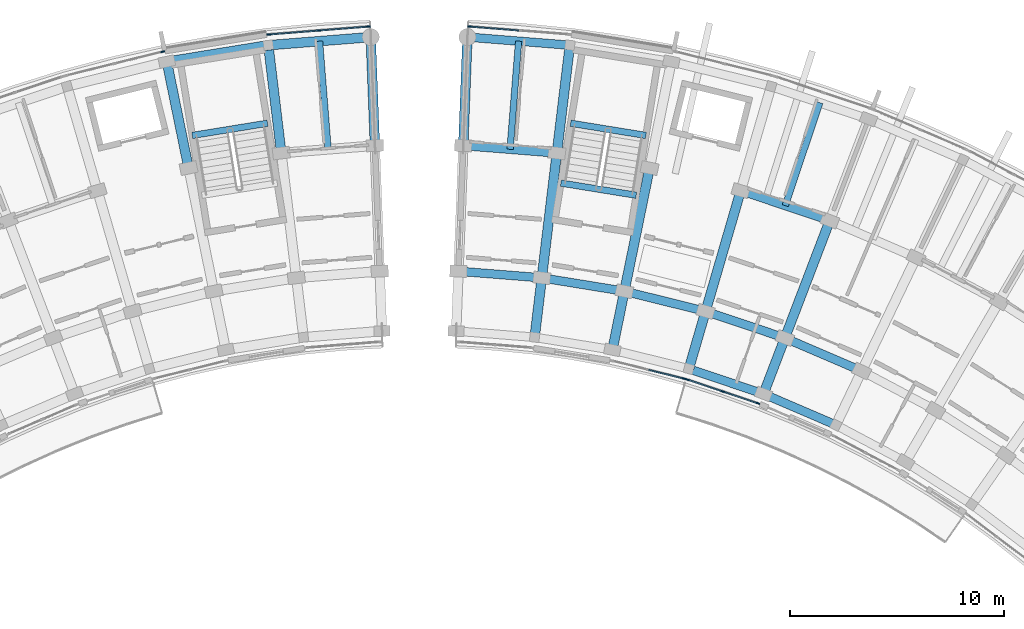
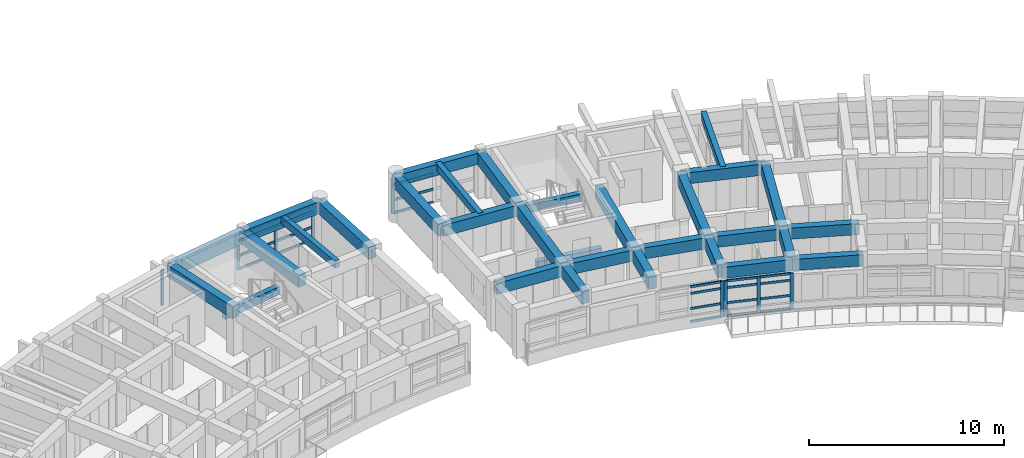
# One storey, part 7 of 56: 32 members, 31 beams, 5 elements without a shape of their own.
"""IFC4 building model written with IfcOpenShell, lengths in metres."""

from ifc_helpers import new_model, si_unit, direction, frame, origin, origin_2d, place, context, subcontext, project, spatial, rectangle, extrude, material, material_profile, profile_set, type_object, element, aggregate, save


model = new_model("IFC4")

# Units and contexts
model_context = context("Model", 3, precision=1e-05, world=origin(), true_north=direction((0.0, 1.0)))
body_context = subcontext(model_context, "Body", "Model", "MODEL_VIEW")
ifc_project = project(units=[si_unit("LENGTHUNIT", "METRE"), si_unit("AREAUNIT", "SQUARE_METRE"), si_unit("VOLUMEUNIT", "CUBIC_METRE"), si_unit("PLANEANGLEUNIT", "RADIAN"), si_unit("MASSUNIT", "GRAM", prefix="KILO")], contexts=[model_context])

# Site, building, storey
site_placement = place(None, origin())
site = spatial("IfcSite", under=ifc_project, at=site_placement, CompositionType="ELEMENT")
building_placement = place(site_placement, origin())
building = spatial("IfcBuilding", under=site, at=building_placement, Name="Zimvara Arc Housing Community", CompositionType="ELEMENT")
storey_placement = place(building_placement, frame((0.0, 0.0, 11.199951171875)))
storey = spatial("IfcBuildingStorey", under=building, at=storey_placement, Name="L03", CompositionType="ELEMENT", Elevation=11.199951171875)

# Beams
ifc_material_1 = material(Name="Concrete C40/50", Category="concrete")
ifc_material_profile_1 = material_profile(ifc_material_1, rectangle(XDim=0.300048828125, YDim=0.449951171875, at=origin_2d()), Name="RC 300x450")
ifc_profile_set_1 = profile_set([ifc_material_profile_1], Name="Concrete C40/50")
beam_type_1 = type_object("IfcBeamType", Name="BM-RC-300x450", PredefinedType="JOIST", material=ifc_profile_set_1)
for number, where, z_axis, x_axis, name in (
    (1, (40.7451171875, 98.08642578125, 2.635009765625), (-0.079171686291, 0.99686099537, 0.0), (-0.99686099537, -0.079171686291, 0.0), "bm:blkA:L03:joist:b9"),
    (2, (49.2548828125, 98.08642578125, 2.635009765625), (0.079171686291, 0.99686099537, 0.0), (-0.99686099537, 0.079171686291, 0.0), "bm:blkB:L03:joist:b0"),
    (3, (62.1279296875, 95.453369140625, 2.635009765625), (0.318607669836, 0.947886677152, 0.0), (-0.947886677152, 0.318607669836, 0.0), "bm:blkB:L03:joist:b3"),
):
    element("IfcBeam", number, at=place(storey_placement, frame(where, z_axis=z_axis, x_axis=x_axis)), inside=storey, type_object=beam_type_1, Name=name, PredefinedType="JOIST", context=body_context, shape_type="SweptSolid", body=[
        extrude(rectangle(XDim=0.300048828125, YDim=0.449951171875, at=origin_2d()), origin(), (0.0, 0.0, 1.0), 5.07568359375),
    ])
ifc_material_2 = material(Name="Concrete C40/50", Category="concrete")
ifc_material_profile_2 = material_profile(ifc_material_2, rectangle(XDim=0.300048828125, YDim=0.5, at=origin_2d()), Name="RC 300x500")
ifc_profile_set_2 = profile_set([ifc_material_profile_2], Name="Concrete C40/50")
beam_type_2 = type_object("IfcBeamType", Name="BM-RC-300x500", PredefinedType="BEAM", material=ifc_profile_set_2)
for number, where, z_axis, x_axis, name in (
    (4, (37.911865234375, 99.307373046875, 1.300048828125), (-0.987080057935, -0.160227835371, 0.0), (0.160227835371, -0.987080057935, 0.0), "bm:stair_trim:ST-A2:L03:mid"),
    (5, (55.15771484375, 95.93701171875, -0.25), (-0.987080057935, 0.160227835371, 0.0), (-0.160227835371, -0.987080057935, 0.0), "bm:stair_trim:ST-B1:L03:near"),
    (6, (55.612060546875, 98.7353515625, 1.300048828125), (-0.987080057935, 0.160227835371, 0.0), (-0.160227835371, -0.987080057935, 0.0), "bm:stair_trim:ST-B1:L03:mid"),
):
    element("IfcBeam", number, at=place(storey_placement, frame(where, z_axis=z_axis, x_axis=x_axis)), inside=storey, type_object=beam_type_2, Name=name, PredefinedType="BEAM", context=body_context, shape_type="SweptSolid", body=[
        extrude(rectangle(XDim=0.300048828125, YDim=0.5, at=origin_2d()), origin(), (0.0, 0.0, 1.0), 3.570068359375),
    ])
ifc_material_3 = material(Name="Concrete C40/50", Category="concrete")
ifc_material_profile_3 = material_profile(ifc_material_3, rectangle(XDim=0.39990234375, YDim=0.699951171875, at=origin_2d()), Name="RC 400x700")
ifc_profile_set_3 = profile_set([ifc_material_profile_3], Name="Concrete C40/50")
beam_type_3 = type_object("IfcBeamType", Name="BM-RC-400x700", PredefinedType="BEAM", material=ifc_profile_set_3)
for number, where, z_axis, x_axis, name in (
    (7, (57.618408203125, 87.819580078125, 2.510009765625), (0.94789181932, -0.31859237101, 0.0), (0.31859237101, 0.94789181932, 0.0), "bm:blkB:L03:chord:r0:b3"),
    (8, (61.11083984375, 86.645751953125, 2.510009765625), (0.918705736243, -0.394942742932, 0.0), (0.394942742932, 0.918705736243, 0.0), "bm:blkB:L03:chord:r0:b4"),
):
    element("IfcBeam", number, at=place(storey_placement, frame(where, z_axis=z_axis, x_axis=x_axis)), inside=storey, type_object=beam_type_3, Name=name, PredefinedType="BEAM", context=body_context, shape_type="SweptSolid", body=[
        extrude(rectangle(XDim=0.39990234375, YDim=0.699951171875, at=origin_2d()), origin(), (0.0, 0.0, 1.0), 3.684326171875),
    ])
beam_1_placement = place(storey_placement, frame((46.839599609375, 92.384765625, 2.510009765625), z_axis=(0.99686054795, -0.079177319606, 0.0), x_axis=(0.079177319606, 0.99686054795, 0.0)))
element("IfcBeam", 9, at=beam_1_placement, inside=storey, type_object=beam_type_3, Name="bm:blkB:L03:chord:r1:b0", PredefinedType="BEAM", context=body_context, shape_type="SweptSolid", body=[
    extrude(rectangle(XDim=0.39990234375, YDim=0.699951171875, at=origin_2d()), origin(), (0.0, 0.0, 1.0), 3.912841796875),
])
for number, where, z_axis, x_axis, name in (
    (10, (50.740234375, 92.074951171875, 2.510009765625), (0.987081487371, -0.160219029111, 0.0), (0.160219029111, 0.987081487371, 0.0), "bm:blkB:L03:chord:r1:b1"),
    (11, (54.602783203125, 91.447998046875, 2.510009765625), (0.970708671682, -0.240259598602, 0.0), (0.240259598602, 0.970708671682, 0.0), "bm:blkB:L03:chord:r1:b2"),
    (12, (58.4013671875, 90.5078125, 2.510009765625), (0.947881689069, -0.31862250945, 0.0), (0.31862250945, 0.947881689069, 0.0), "bm:blkB:L03:chord:r1:b3"),
    (13, (62.110595703125, 89.260986328125, 2.510009765625), (0.91873144242, -0.394882940514, 0.0), (0.394882940514, 0.91873144242, 0.0), "bm:blkB:L03:chord:r1:b4"),
):
    element("IfcBeam", number, at=place(storey_placement, frame(where, z_axis=z_axis, x_axis=x_axis)), inside=storey, type_object=beam_type_3, Name=name, PredefinedType="BEAM", context=body_context, shape_type="SweptSolid", body=[
        extrude(rectangle(XDim=0.39990234375, YDim=0.699951171875, at=origin_2d()), origin(), (0.0, 0.0, 1.0), 3.9130859375),
    ])
beam_2_placement = place(storey_placement, frame((47.065185546875, 98.26025390625, 2.510009765625), z_axis=(0.996864209836, -0.079131202119, 0.0), x_axis=(0.079131202119, 0.996864209836, 0.0)))
element("IfcBeam", 14, at=beam_2_placement, inside=storey, type_object=beam_type_3, Name="bm:blkB:L03:chord:r2:b0", PredefinedType="BEAM", context=body_context, shape_type="SweptSolid", body=[
    extrude(rectangle(XDim=0.39990234375, YDim=0.699951171875, at=origin_2d()), origin(), (0.0, 0.0, 1.0), 4.393310546875),
])
beam_3_placement = place(storey_placement, frame((60.0458984375, 96.1533203125, 2.510009765625), z_axis=(0.947868796036, -0.318660862832, 0.0), x_axis=(0.318660862832, 0.947868796036, 0.0)))
element("IfcBeam", 15, at=beam_3_placement, inside=storey, type_object=beam_type_3, Name="bm:blkB:L03:chord:r2:b3", PredefinedType="BEAM", context=body_context, shape_type="SweptSolid", body=[
    extrude(rectangle(XDim=0.39990234375, YDim=0.699951171875, at=origin_2d()), origin(), (0.0, 0.0, 1.0), 4.39306640625),
])
beam_4_placement = place(storey_placement, frame((47.26025390625, 103.336669921875, 2.510009765625), z_axis=(0.996861768207, -0.0791619548, 0.0), x_axis=(0.0791619548, 0.996861768207, 0.0)))
element("IfcBeam", 16, at=beam_4_placement, inside=storey, type_object=beam_type_3, Name="bm:blkB:L03:chord:r3:b0", PredefinedType="BEAM", context=body_context, shape_type="SweptSolid", body=[
    extrude(rectangle(XDim=0.39990234375, YDim=0.699951171875, at=origin_2d()), origin(), (0.0, 0.0, 1.0), 4.80810546875),
])
ifc_material_4 = material(Name="Concrete C40/50", Category="concrete")
ifc_material_profile_4 = material_profile(ifc_material_4, rectangle(XDim=0.449951171875, YDim=0.75, at=origin_2d()), Name="RC 450x750")
ifc_profile_set_4 = profile_set([ifc_material_profile_4], Name="Concrete C40/50")
beam_type_4 = type_object("IfcBeamType", Name="BM-RC-450x750", PredefinedType="BEAM", material=ifc_profile_set_4)
beam_5_placement = place(storey_placement, frame((33.20068359375, 102.185546875, 2.485107421875), z_axis=(0.987076839731, 0.160247659784, 0.0), x_axis=(-0.160247659784, 0.987076839731, 0.0)))
element("IfcBeam", 17, at=beam_5_placement, inside=storey, type_object=beam_type_4, Name="bm:blkA:L03:chord:r3:b8", PredefinedType="BEAM", context=body_context, shape_type="SweptSolid", body=[
    extrude(rectangle(XDim=0.449951171875, YDim=0.75, at=origin_2d()), origin(), (0.0, 0.0, 1.0), 4.808349609375),
])
beam_6_placement = place(storey_placement, frame((37.94677734375, 102.9560546875, 2.485107421875), z_axis=(0.996861768207, 0.0791619548, 0.0), x_axis=(-0.0791619548, 0.996861768207, 0.0)))
element("IfcBeam", 18, at=beam_6_placement, inside=storey, type_object=beam_type_4, Name="bm:blkA:L03:chord:r3:b9", PredefinedType="BEAM", context=body_context, shape_type="SweptSolid", body=[
    extrude(rectangle(XDim=0.449951171875, YDim=0.75, at=origin_2d()), origin(), (0.0, 0.0, 1.0), 4.80810546875),
])
beam_7_placement = place(storey_placement, frame((34.21875, 97.208740234375, 2.485107421875), z_axis=(-0.200411962389, 0.97971171542, 0.0), x_axis=(-0.97971171542, -0.200411962389, 0.0)))
element("IfcBeam", 19, at=beam_7_placement, inside=storey, type_object=beam_type_4, Name="bm:blkA:L03:rad:b8:r23", PredefinedType="BEAM", context=body_context, shape_type="SweptSolid", body=[
    extrude(rectangle(XDim=0.449951171875, YDim=0.75, at=origin_2d()), origin(), (0.0, 0.0, 1.0), 5.079833984375),
])
for number, where, z_axis, x_axis, name in (
    (20, (38.55517578125, 97.91259765625, 2.485107421875), (-0.119762990499, 0.99280251113, 0.0), (-0.99280251113, -0.119762990499, 0.0), "bm:blkA:L03:rad:b9:r23"),
    (21, (42.934814453125, 98.26025390625, 2.485107421875), (-0.038398054907, 0.999262522753, 0.0), (-0.999262522753, -0.038398054907, 0.0), "bm:blkA:L03:rad:b10:r23"),
    (22, (47.065185546875, 98.26025390625, 2.485107421875), (0.038398054907, 0.999262522753, 0.0), (-0.999262522753, 0.038398054907, 0.0), "bm:blkB:L03:rad:b0:r23"),
):
    element("IfcBeam", number, at=place(storey_placement, frame(where, z_axis=z_axis, x_axis=x_axis)), inside=storey, type_object=beam_type_4, Name=name, PredefinedType="BEAM", context=body_context, shape_type="SweptSolid", body=[
        extrude(rectangle(XDim=0.449951171875, YDim=0.75, at=origin_2d()), origin(), (0.0, 0.0, 1.0), 5.080078125),
    ])
beam_8_placement = place(storey_placement, frame((50.405029296875, 89.295166015625, 2.485107421875), z_axis=(0.119719398078, 0.992807768767, 0.0), x_axis=(-0.992807768767, 0.119719398078, 0.0)))
element("IfcBeam", 23, at=beam_8_placement, inside=storey, type_object=beam_type_4, Name="bm:blkB:L03:rad:b1:r01", PredefinedType="BEAM", context=body_context, shape_type="SweptSolid", body=[
    extrude(rectangle(XDim=0.449951171875, YDim=0.75, at=origin_2d()), origin(), (0.0, 0.0, 1.0), 2.7998046875),
])
beam_9_placement = place(storey_placement, frame((50.740234375, 92.074951171875, 2.485107421875), z_axis=(0.119827921695, 0.992794676246, 0.0), x_axis=(-0.992794676246, 0.119827921695, 0.0)))
element("IfcBeam", 24, at=beam_9_placement, inside=storey, type_object=beam_type_4, Name="bm:blkB:L03:rad:b1:r12", PredefinedType="BEAM", context=body_context, shape_type="SweptSolid", body=[
    extrude(rectangle(XDim=0.449951171875, YDim=0.75, at=origin_2d()), origin(), (0.0, 0.0, 1.0), 5.880126953125),
])
beam_10_placement = place(storey_placement, frame((51.44482421875, 97.91259765625, 2.485107421875), z_axis=(0.119762990499, 0.99280251113, 0.0), x_axis=(-0.99280251113, 0.119762990499, 0.0)))
element("IfcBeam", 25, at=beam_10_placement, inside=storey, type_object=beam_type_4, Name="bm:blkB:L03:rad:b1:r23", PredefinedType="BEAM", context=body_context, shape_type="SweptSolid", body=[
    extrude(rectangle(XDim=0.449951171875, YDim=0.75, at=origin_2d()), origin(), (0.0, 0.0, 1.0), 5.080078125),
])
beam_11_placement = place(storey_placement, frame((54.041748046875, 88.704833984375, 2.485107421875), z_axis=(0.20037341071, 0.979719600845, 0.0), x_axis=(-0.979719600845, 0.20037341071, 0.0)))
element("IfcBeam", 26, at=beam_11_placement, inside=storey, type_object=beam_type_4, Name="bm:blkB:L03:rad:b2:r01", PredefinedType="BEAM", context=body_context, shape_type="SweptSolid", body=[
    extrude(rectangle(XDim=0.449951171875, YDim=0.75, at=origin_2d()), origin(), (0.0, 0.0, 1.0), 2.800048828125),
])
beam_12_placement = place(storey_placement, frame((54.602783203125, 91.447998046875, 2.485107421875), z_axis=(0.200417973989, 0.979710485655, 0.0), x_axis=(-0.979710485655, 0.200417973989, 0.0)))
element("IfcBeam", 27, at=beam_12_placement, inside=storey, type_object=beam_type_4, Name="bm:blkB:L03:rad:b2:r12", PredefinedType="BEAM", context=body_context, shape_type="SweptSolid", body=[
    extrude(rectangle(XDim=0.449951171875, YDim=0.75, at=origin_2d()), origin(), (0.0, 0.0, 1.0), 5.880126953125),
])
beam_13_placement = place(storey_placement, frame((57.618408203125, 87.819580078125, 2.485107421875), z_axis=(0.279635015525, 0.960106378529, 0.0), x_axis=(-0.960106378529, 0.279635015525, 0.0)))
element("IfcBeam", 28, at=beam_13_placement, inside=storey, type_object=beam_type_4, Name="bm:blkB:L03:rad:b3:r01", PredefinedType="BEAM", context=body_context, shape_type="SweptSolid", body=[
    extrude(rectangle(XDim=0.449951171875, YDim=0.75, at=origin_2d()), origin(), (0.0, 0.0, 1.0), 2.800048828125),
])
beam_14_placement = place(storey_placement, frame((58.4013671875, 90.5078125, 2.485107421875), z_axis=(0.27967473749, 0.960094808449, 0.0), x_axis=(-0.960094808449, 0.27967473749, 0.0)))
element("IfcBeam", 29, at=beam_14_placement, inside=storey, type_object=beam_type_4, Name="bm:blkB:L03:rad:b3:r12", PredefinedType="BEAM", context=body_context, shape_type="SweptSolid", body=[
    extrude(rectangle(XDim=0.449951171875, YDim=0.75, at=origin_2d()), origin(), (0.0, 0.0, 1.0), 5.880126953125),
])
beam_15_placement = place(storey_placement, frame((61.11083984375, 86.645751953125, 2.485107421875), z_axis=(0.357079289134, 0.934074076972, 0.0), x_axis=(-0.934074076972, 0.357079289134, 0.0)))
element("IfcBeam", 30, at=beam_15_placement, inside=storey, type_object=beam_type_4, Name="bm:blkB:L03:rad:b4:r01", PredefinedType="BEAM", context=body_context, shape_type="SweptSolid", body=[
    extrude(rectangle(XDim=0.449951171875, YDim=0.75, at=origin_2d()), origin(), (0.0, 0.0, 1.0), 2.7998046875),
])
beam_16_placement = place(storey_placement, frame((62.110595703125, 89.260986328125, 2.485107421875), z_axis=(0.357036247742, 0.934090529766, 0.0), x_axis=(-0.934090529766, 0.357036247742, 0.0)))
element("IfcBeam", 31, at=beam_16_placement, inside=storey, type_object=beam_type_4, Name="bm:blkB:L03:rad:b4:r12", PredefinedType="BEAM", context=body_context, shape_type="SweptSolid", body=[
    extrude(rectangle(XDim=0.449951171875, YDim=0.75, at=origin_2d()), origin(), (0.0, 0.0, 1.0), 5.8798828125),
])

# Curtain wall, member
ifc_material_5 = material(Name="Anodised Aluminium AW-6063", Category="aluminium")
curtain_wall_type_1 = type_object("IfcCurtainWallType", Name="CW-SYS-02", PredefinedType="USERDEFINED", material=ifc_material_5)
curtain_wall_1_placement = place(storey_placement, origin())
curtain_wall_1 = element("IfcCurtainWall", 32, at=curtain_wall_1_placement, inside=storey, type_object=curtain_wall_type_1, Name="cw:blkB:L03:in:b2", ObjectType="CURTAIN WALL", PredefinedType="USERDEFINED")
ifc_material_6 = material(Name="Anodised Aluminium AW-6063", Category="aluminium")
ifc_material_profile_5 = material_profile(ifc_material_6, rectangle(XDim=0.06494140625, YDim=0.179931640625, at=origin_2d()), Name="ALU 65x180")
ifc_profile_set_5 = profile_set([ifc_material_profile_5], Name="Anodised Aluminium AW-6063")
member_type_1 = type_object("IfcMemberType", Name="CWM-65x150", PredefinedType="MULLION", material=ifc_profile_set_5)
member_1_placement = place(storey_placement, frame((57.388671875, 87.36181640625, 0.0), z_axis=(0.0, 0.0, 1.0), x_axis=(0.240227815706, 0.970716537698, 0.0)))
member_1 = element("IfcMember", 33, at=member_1_placement, type_object=member_type_1, Name="CW02 mullion 3", PredefinedType="MULLION", context=body_context, shape_type="SweptSolid", body=[
    extrude(rectangle(XDim=0.06494140625, YDim=0.179931640625, at=origin_2d()), origin(), (0.0, 0.0, 1.0), 2.25),
])

# Curtain wall, members
ifc_material_7 = material(Name="Anodised Aluminium AW-6063", Category="aluminium")
curtain_wall_type_2 = type_object("IfcCurtainWallType", Name="CW-SYS-04", PredefinedType="USERDEFINED", material=ifc_material_7)
curtain_wall_2_placement = place(storey_placement, origin())
curtain_wall_2 = element("IfcCurtainWall", 34, at=curtain_wall_2_placement, inside=storey, type_object=curtain_wall_type_2, Name="cw:blkB:L03:in:b3", ObjectType="CURTAIN WALL", PredefinedType="USERDEFINED")
member_2_placement = place(storey_placement, frame((57.566162109375, 87.31005859375, 0.0), z_axis=(0.0, 0.0, 1.0), x_axis=(0.318630249383, 0.94787908732, 0.0)))
member_2 = element("IfcMember", 35, at=member_2_placement, type_object=member_type_1, Name="CW04 mullion 1", PredefinedType="MULLION", context=body_context, shape_type="SweptSolid", body=[
    extrude(rectangle(XDim=0.06494140625, YDim=0.179931640625, at=origin_2d()), origin(), (0.0, 0.0, 1.0), 2.25),
])
member_3_placement = place(storey_placement, frame((59.205322265625, 86.759033203125, 0.0), z_axis=(0.0, 0.0, 1.0), x_axis=(0.318630249383, 0.94787908732, 0.0)))
member_3 = element("IfcMember", 36, at=member_3_placement, type_object=member_type_1, Name="CW04 mullion 2", PredefinedType="MULLION", context=body_context, shape_type="SweptSolid", body=[
    extrude(rectangle(XDim=0.06494140625, YDim=0.179931640625, at=origin_2d()), origin(), (0.0, 0.0, 1.0), 2.25),
])
member_4_placement = place(storey_placement, frame((60.844482421875, 86.2080078125, 0.0), z_axis=(0.0, 0.0, 1.0), x_axis=(0.318630249383, 0.94787908732, 0.0)))
member_4 = element("IfcMember", 37, at=member_4_placement, type_object=member_type_1, Name="CW04 mullion 3", PredefinedType="MULLION", context=body_context, shape_type="SweptSolid", body=[
    extrude(rectangle(XDim=0.06494140625, YDim=0.179931640625, at=origin_2d()), origin(), (0.0, 0.0, 1.0), 2.25),
])

# Curtain wall, member
ifc_material_8 = material(Name="Anodised Aluminium AW-6063", Category="aluminium")
curtain_wall_type_3 = type_object("IfcCurtainWallType", Name="CW-SYS-01", PredefinedType="USERDEFINED", material=ifc_material_8)
curtain_wall_3_placement = place(storey_placement, origin())
curtain_wall_3 = element("IfcCurtainWall", 38, at=curtain_wall_3_placement, inside=storey, type_object=curtain_wall_type_3, Name="cw:blkA:L03:out:b7", ObjectType="CURTAIN WALL", PredefinedType="USERDEFINED")
ifc_material_9 = material(Name="Anodised Aluminium AW-6063", Category="aluminium")
ifc_material_profile_6 = material_profile(ifc_material_9, rectangle(XDim=0.06494140625, YDim=0.195068359375, at=origin_2d()), Name="ALU 65x195")
ifc_profile_set_6 = profile_set([ifc_material_profile_6], Name="Anodised Aluminium AW-6063")
member_type_2 = type_object("IfcMemberType", Name="CWM-65x180", PredefinedType="MULLION", material=ifc_profile_set_6)
member_5_placement = place(storey_placement, frame((33.0107421875, 102.6533203125, 0.0), z_axis=(0.0, 0.0, 1.0), x_axis=(-0.240229711131, 0.970716068627, 0.0)))
member_5 = element("IfcMember", 39, at=member_5_placement, type_object=member_type_2, Name="CW01 mullion 3", PredefinedType="MULLION", context=body_context, shape_type="SweptSolid", body=[
    extrude(rectangle(XDim=0.06494140625, YDim=0.195068359375, at=origin_2d()), origin(), (0.0, 0.0, 1.0), 2.25),
])
aggregate(curtain_wall_3, [member_5])

# Curtain wall, members
ifc_material_10 = material(Name="Anodised Aluminium AW-6063", Category="aluminium")
curtain_wall_type_4 = type_object("IfcCurtainWallType", Name="CW-SYS-03", PredefinedType="USERDEFINED", material=ifc_material_10)
curtain_wall_4_placement = place(storey_placement, origin())
curtain_wall_4 = element("IfcCurtainWall", 40, at=curtain_wall_4_placement, inside=storey, type_object=curtain_wall_type_4, Name="cw:blkA:L03:out:b9", ObjectType="CURTAIN WALL", PredefinedType="USERDEFINED")
member_6_placement = place(storey_placement, frame((37.97900390625, 103.459716796875, 0.0), z_axis=(0.0, 0.0, 1.0), x_axis=(-0.079153759607, 0.996862418963, 0.0)))
member_6 = element("IfcMember", 41, at=member_6_placement, type_object=member_type_2, Name="CW03 mullion 1", PredefinedType="MULLION", context=body_context, shape_type="SweptSolid", body=[
    extrude(rectangle(XDim=0.06494140625, YDim=0.195068359375, at=origin_2d()), origin(), (0.0, 0.0, 1.0), 2.25),
])
member_7_placement = place(storey_placement, frame((40.3037109375, 103.644287109375, 0.0), z_axis=(0.0, 0.0, 1.0), x_axis=(-0.079153759607, 0.996862418963, 0.0)))
member_7 = element("IfcMember", 42, at=member_7_placement, type_object=member_type_2, Name="CW03 mullion 2", PredefinedType="MULLION", context=body_context, shape_type="SweptSolid", body=[
    extrude(rectangle(XDim=0.06494140625, YDim=0.195068359375, at=origin_2d()), origin(), (0.0, 0.0, 1.0), 2.25),
])
member_8_placement = place(storey_placement, frame((42.62841796875, 103.828857421875, 0.0), z_axis=(0.0, 0.0, 1.0), x_axis=(-0.079153759607, 0.996862418963, 0.0)))
member_8 = element("IfcMember", 43, at=member_8_placement, type_object=member_type_2, Name="CW03 mullion 3", PredefinedType="MULLION", context=body_context, shape_type="SweptSolid", body=[
    extrude(rectangle(XDim=0.06494140625, YDim=0.195068359375, at=origin_2d()), origin(), (0.0, 0.0, 1.0), 2.25),
])

# Curtain wall, member
ifc_material_11 = material(Name="Anodised Aluminium AW-6063", Category="aluminium")
curtain_wall_type_5 = type_object("IfcCurtainWallType", Name="CW-SYS-07", PredefinedType="USERDEFINED", material=ifc_material_11)
curtain_wall_5_placement = place(storey_placement, origin())
curtain_wall_5 = element("IfcCurtainWall", 44, at=curtain_wall_5_placement, inside=storey, type_object=curtain_wall_type_5, Name="cw:blkB:L03:out:b0", ObjectType="CURTAIN WALL", PredefinedType="USERDEFINED")
member_9_placement = place(storey_placement, frame((47.37158203125, 103.828857421875, 0.0), z_axis=(0.0, 0.0, 1.0), x_axis=(0.079153759607, 0.996862418963, 0.0)))
member_9 = element("IfcMember", 45, at=member_9_placement, type_object=member_type_2, Name="CW07 mullion 1", PredefinedType="MULLION", context=body_context, shape_type="SweptSolid", body=[
    extrude(rectangle(XDim=0.06494140625, YDim=0.195068359375, at=origin_2d()), origin(), (0.0, 0.0, 1.0), 2.25),
])

# Member
ifc_material_12 = material(Name="Anodised Aluminium AW-6063", Category="aluminium")
ifc_material_profile_7 = material_profile(ifc_material_12, rectangle(XDim=0.06494140625, YDim=0.139892578125, at=origin_2d()), Name="ALU 65x140")
ifc_profile_set_7 = profile_set([ifc_material_profile_7], Name="Anodised Aluminium AW-6063")
member_type_3 = type_object("IfcMemberType", Name="CWT-65x120", PredefinedType="USERDEFINED", material=ifc_profile_set_7)
member_10_placement = place(storey_placement, frame((55.74169921875, 87.76953125, 0.032470703125), z_axis=(0.970700809973, -0.24029135964, 0.0), x_axis=(0.24029135964, 0.970700809973, 0.0)))
member_10 = element("IfcMember", 46, at=member_10_placement, type_object=member_type_3, Name="CW02 transom 2.1", ObjectType="TRANSOM", PredefinedType="USERDEFINED", context=body_context, shape_type="SweptSolid", body=[
    extrude(rectangle(XDim=0.06494140625, YDim=0.139892578125, at=origin_2d()), origin(), (0.0, 0.0, 1.0), 1.664306640625),
])

member_11_placement = place(storey_placement, frame((55.74169921875, 87.76953125, 0.85009765625), z_axis=(0.970700809973, -0.24029135964, 0.0), x_axis=(0.24029135964, 0.970700809973, 0.0)))
member_11 = element("IfcMember", 47, at=member_11_placement, type_object=member_type_3, Name="CW02 transom 2.2", ObjectType="TRANSOM", PredefinedType="USERDEFINED", context=body_context, shape_type="SweptSolid", body=[
    extrude(rectangle(XDim=0.06494140625, YDim=0.139892578125, at=origin_2d()), origin(), (0.0, 0.0, 1.0), 1.664306640625),
])

member_12_placement = place(storey_placement, frame((55.74169921875, 87.76953125, 1.800048828125), z_axis=(0.970700809973, -0.24029135964, 0.0), x_axis=(0.24029135964, 0.970700809973, 0.0)))
member_12 = element("IfcMember", 48, at=member_12_placement, type_object=member_type_3, Name="CW02 transom 2.3", ObjectType="TRANSOM", PredefinedType="USERDEFINED", context=body_context, shape_type="SweptSolid", body=[
    extrude(rectangle(XDim=0.06494140625, YDim=0.139892578125, at=origin_2d()), origin(), (0.0, 0.0, 1.0), 1.664306640625),
])

member_13_placement = place(storey_placement, frame((55.74169921875, 87.76953125, 2.217529296875), z_axis=(0.970700809973, -0.24029135964, 0.0), x_axis=(0.24029135964, 0.970700809973, 0.0)))
member_13 = element("IfcMember", 49, at=member_13_placement, type_object=member_type_3, Name="CW02 transom 2.4", ObjectType="TRANSOM", PredefinedType="USERDEFINED", context=body_context, shape_type="SweptSolid", body=[
    extrude(rectangle(XDim=0.06494140625, YDim=0.139892578125, at=origin_2d()), origin(), (0.0, 0.0, 1.0), 1.664306640625),
])

aggregate(curtain_wall_1, [member_1, member_10, member_11, member_12, member_13])

member_14_placement = place(storey_placement, frame((57.596923828125, 87.2998046875, 0.032470703125), z_axis=(0.947888214723, -0.318603095385, 0.0), x_axis=(0.318603095385, 0.947888214723, 0.0)))
member_14 = element("IfcMember", 50, at=member_14_placement, type_object=member_type_3, Name="CW04 transom 1.1", ObjectType="TRANSOM", PredefinedType="USERDEFINED", context=body_context, shape_type="SweptSolid", body=[
    extrude(rectangle(XDim=0.06494140625, YDim=0.139892578125, at=origin_2d()), origin(), (0.0, 0.0, 1.0), 1.664306640625),
])

member_15_placement = place(storey_placement, frame((57.596923828125, 87.2998046875, 0.85009765625), z_axis=(0.947888214723, -0.318603095385, 0.0), x_axis=(0.318603095385, 0.947888214723, 0.0)))
member_15 = element("IfcMember", 51, at=member_15_placement, type_object=member_type_3, Name="CW04 transom 1.2", ObjectType="TRANSOM", PredefinedType="USERDEFINED", context=body_context, shape_type="SweptSolid", body=[
    extrude(rectangle(XDim=0.06494140625, YDim=0.139892578125, at=origin_2d()), origin(), (0.0, 0.0, 1.0), 1.664306640625),
])

member_16_placement = place(storey_placement, frame((57.596923828125, 87.2998046875, 1.800048828125), z_axis=(0.947888214723, -0.318603095385, 0.0), x_axis=(0.318603095385, 0.947888214723, 0.0)))
member_16 = element("IfcMember", 52, at=member_16_placement, type_object=member_type_3, Name="CW04 transom 1.3", ObjectType="TRANSOM", PredefinedType="USERDEFINED", context=body_context, shape_type="SweptSolid", body=[
    extrude(rectangle(XDim=0.06494140625, YDim=0.139892578125, at=origin_2d()), origin(), (0.0, 0.0, 1.0), 1.664306640625),
])

member_17_placement = place(storey_placement, frame((57.596923828125, 87.2998046875, 2.217529296875), z_axis=(0.947888214723, -0.318603095385, 0.0), x_axis=(0.318603095385, 0.947888214723, 0.0)))
member_17 = element("IfcMember", 53, at=member_17_placement, type_object=member_type_3, Name="CW04 transom 1.4", ObjectType="TRANSOM", PredefinedType="USERDEFINED", context=body_context, shape_type="SweptSolid", body=[
    extrude(rectangle(XDim=0.06494140625, YDim=0.139892578125, at=origin_2d()), origin(), (0.0, 0.0, 1.0), 1.664306640625),
])

member_18_placement = place(storey_placement, frame((59.236083984375, 86.748779296875, 0.032470703125), z_axis=(0.947888214723, -0.318603095385, 0.0), x_axis=(0.318603095385, 0.947888214723, 0.0)))
member_18 = element("IfcMember", 54, at=member_18_placement, type_object=member_type_3, Name="CW04 transom 2.1", ObjectType="TRANSOM", PredefinedType="USERDEFINED", context=body_context, shape_type="SweptSolid", body=[
    extrude(rectangle(XDim=0.06494140625, YDim=0.139892578125, at=origin_2d()), origin(), (0.0, 0.0, 1.0), 1.664306640625),
])

member_19_placement = place(storey_placement, frame((59.236083984375, 86.748779296875, 0.85009765625), z_axis=(0.947888214723, -0.318603095385, 0.0), x_axis=(0.318603095385, 0.947888214723, 0.0)))
member_19 = element("IfcMember", 55, at=member_19_placement, type_object=member_type_3, Name="CW04 transom 2.2", ObjectType="TRANSOM", PredefinedType="USERDEFINED", context=body_context, shape_type="SweptSolid", body=[
    extrude(rectangle(XDim=0.06494140625, YDim=0.139892578125, at=origin_2d()), origin(), (0.0, 0.0, 1.0), 1.664306640625),
])

member_20_placement = place(storey_placement, frame((59.236083984375, 86.748779296875, 1.800048828125), z_axis=(0.947888214723, -0.318603095385, 0.0), x_axis=(0.318603095385, 0.947888214723, 0.0)))
member_20 = element("IfcMember", 56, at=member_20_placement, type_object=member_type_3, Name="CW04 transom 2.3", ObjectType="TRANSOM", PredefinedType="USERDEFINED", context=body_context, shape_type="SweptSolid", body=[
    extrude(rectangle(XDim=0.06494140625, YDim=0.139892578125, at=origin_2d()), origin(), (0.0, 0.0, 1.0), 1.664306640625),
])

member_21_placement = place(storey_placement, frame((59.236083984375, 86.748779296875, 2.217529296875), z_axis=(0.947888214723, -0.318603095385, 0.0), x_axis=(0.318603095385, 0.947888214723, 0.0)))
member_21 = element("IfcMember", 57, at=member_21_placement, type_object=member_type_3, Name="CW04 transom 2.4", ObjectType="TRANSOM", PredefinedType="USERDEFINED", context=body_context, shape_type="SweptSolid", body=[
    extrude(rectangle(XDim=0.06494140625, YDim=0.139892578125, at=origin_2d()), origin(), (0.0, 0.0, 1.0), 1.664306640625),
])

aggregate(curtain_wall_2, [member_2, member_3, member_4, member_14, member_15, member_16, member_17, member_18, member_19, member_20, member_21])

ifc_material_13 = material(Name="Anodised Aluminium AW-6063", Category="aluminium")
ifc_material_profile_8 = material_profile(ifc_material_13, rectangle(XDim=0.06494140625, YDim=0.155029296875, at=origin_2d()), Name="ALU 65x155")
ifc_profile_set_8 = profile_set([ifc_material_profile_8], Name="Anodised Aluminium AW-6063")
member_type_4 = type_object("IfcMemberType", Name="CWT-65x140", PredefinedType="USERDEFINED", material=ifc_profile_set_8)
member_22_placement = place(storey_placement, frame((38.011474609375, 103.46240234375, 0.032470703125), z_axis=(0.996862021022, 0.079158771116, 0.0), x_axis=(-0.079158771116, 0.996862021022, 0.0)))
member_22 = element("IfcMember", 58, at=member_22_placement, type_object=member_type_4, Name="CW03 transom 1.1", ObjectType="TRANSOM", PredefinedType="USERDEFINED", context=body_context, shape_type="SweptSolid", body=[
    extrude(rectangle(XDim=0.06494140625, YDim=0.155029296875, at=origin_2d()), origin(), (0.0, 0.0, 1.0), 2.266845703125),
])

member_23_placement = place(storey_placement, frame((38.011474609375, 103.46240234375, 0.85009765625), z_axis=(0.996862021022, 0.079158771116, 0.0), x_axis=(-0.079158771116, 0.996862021022, 0.0)))
member_23 = element("IfcMember", 59, at=member_23_placement, type_object=member_type_4, Name="CW03 transom 1.2", ObjectType="TRANSOM", PredefinedType="USERDEFINED", context=body_context, shape_type="SweptSolid", body=[
    extrude(rectangle(XDim=0.06494140625, YDim=0.155029296875, at=origin_2d()), origin(), (0.0, 0.0, 1.0), 2.266845703125),
])

member_24_placement = place(storey_placement, frame((38.011474609375, 103.46240234375, 1.800048828125), z_axis=(0.996862021022, 0.079158771116, 0.0), x_axis=(-0.079158771116, 0.996862021022, 0.0)))
member_24 = element("IfcMember", 60, at=member_24_placement, type_object=member_type_4, Name="CW03 transom 1.3", ObjectType="TRANSOM", PredefinedType="USERDEFINED", context=body_context, shape_type="SweptSolid", body=[
    extrude(rectangle(XDim=0.06494140625, YDim=0.155029296875, at=origin_2d()), origin(), (0.0, 0.0, 1.0), 2.266845703125),
])

member_25_placement = place(storey_placement, frame((38.011474609375, 103.46240234375, 2.217529296875), z_axis=(0.996862021022, 0.079158771116, 0.0), x_axis=(-0.079158771116, 0.996862021022, 0.0)))
member_25 = element("IfcMember", 61, at=member_25_placement, type_object=member_type_4, Name="CW03 transom 1.4", ObjectType="TRANSOM", PredefinedType="USERDEFINED", context=body_context, shape_type="SweptSolid", body=[
    extrude(rectangle(XDim=0.06494140625, YDim=0.155029296875, at=origin_2d()), origin(), (0.0, 0.0, 1.0), 2.266845703125),
])

member_26_placement = place(storey_placement, frame((40.336181640625, 103.64697265625, 0.032470703125), z_axis=(0.996862021022, 0.079158771116, 0.0), x_axis=(-0.079158771116, 0.996862021022, 0.0)))
member_26 = element("IfcMember", 62, at=member_26_placement, type_object=member_type_4, Name="CW03 transom 2.1", ObjectType="TRANSOM", PredefinedType="USERDEFINED", context=body_context, shape_type="SweptSolid", body=[
    extrude(rectangle(XDim=0.06494140625, YDim=0.155029296875, at=origin_2d()), origin(), (0.0, 0.0, 1.0), 2.266845703125),
])

member_27_placement = place(storey_placement, frame((40.336181640625, 103.64697265625, 0.85009765625), z_axis=(0.996862021022, 0.079158771116, 0.0), x_axis=(-0.079158771116, 0.996862021022, 0.0)))
member_27 = element("IfcMember", 63, at=member_27_placement, type_object=member_type_4, Name="CW03 transom 2.2", ObjectType="TRANSOM", PredefinedType="USERDEFINED", context=body_context, shape_type="SweptSolid", body=[
    extrude(rectangle(XDim=0.06494140625, YDim=0.155029296875, at=origin_2d()), origin(), (0.0, 0.0, 1.0), 2.266845703125),
])

member_28_placement = place(storey_placement, frame((40.336181640625, 103.64697265625, 1.800048828125), z_axis=(0.996862021022, 0.079158771116, 0.0), x_axis=(-0.079158771116, 0.996862021022, 0.0)))
member_28 = element("IfcMember", 64, at=member_28_placement, type_object=member_type_4, Name="CW03 transom 2.3", ObjectType="TRANSOM", PredefinedType="USERDEFINED", context=body_context, shape_type="SweptSolid", body=[
    extrude(rectangle(XDim=0.06494140625, YDim=0.155029296875, at=origin_2d()), origin(), (0.0, 0.0, 1.0), 2.266845703125),
])

member_29_placement = place(storey_placement, frame((40.336181640625, 103.64697265625, 2.217529296875), z_axis=(0.996862021022, 0.079158771116, 0.0), x_axis=(-0.079158771116, 0.996862021022, 0.0)))
member_29 = element("IfcMember", 65, at=member_29_placement, type_object=member_type_4, Name="CW03 transom 2.4", ObjectType="TRANSOM", PredefinedType="USERDEFINED", context=body_context, shape_type="SweptSolid", body=[
    extrude(rectangle(XDim=0.06494140625, YDim=0.155029296875, at=origin_2d()), origin(), (0.0, 0.0, 1.0), 2.266845703125),
])

aggregate(curtain_wall_4, [member_6, member_7, member_8, member_22, member_23, member_24, member_25, member_26, member_27, member_28, member_29])

member_30_placement = place(storey_placement, frame((47.404052734375, 103.826416015625, 0.032470703125), z_axis=(0.996862021022, -0.079158771116, 0.0), x_axis=(0.079158771116, 0.996862021022, 0.0)))
member_30 = element("IfcMember", 66, at=member_30_placement, type_object=member_type_4, Name="CW07 transom 1.1", ObjectType="TRANSOM", PredefinedType="USERDEFINED", context=body_context, shape_type="SweptSolid", body=[
    extrude(rectangle(XDim=0.06494140625, YDim=0.155029296875, at=origin_2d()), origin(), (0.0, 0.0, 1.0), 2.266845703125),
])

member_31_placement = place(storey_placement, frame((47.404052734375, 103.826416015625, 0.85009765625), z_axis=(0.996862021022, -0.079158771116, 0.0), x_axis=(0.079158771116, 0.996862021022, 0.0)))
member_31 = element("IfcMember", 67, at=member_31_placement, type_object=member_type_4, Name="CW07 transom 1.2", ObjectType="TRANSOM", PredefinedType="USERDEFINED", context=body_context, shape_type="SweptSolid", body=[
    extrude(rectangle(XDim=0.06494140625, YDim=0.155029296875, at=origin_2d()), origin(), (0.0, 0.0, 1.0), 2.266845703125),
])

member_32_placement = place(storey_placement, frame((47.404052734375, 103.826416015625, 1.800048828125), z_axis=(0.996862021022, -0.079158771116, 0.0), x_axis=(0.079158771116, 0.996862021022, 0.0)))
member_32 = element("IfcMember", 68, at=member_32_placement, type_object=member_type_4, Name="CW07 transom 1.3", ObjectType="TRANSOM", PredefinedType="USERDEFINED", context=body_context, shape_type="SweptSolid", body=[
    extrude(rectangle(XDim=0.06494140625, YDim=0.155029296875, at=origin_2d()), origin(), (0.0, 0.0, 1.0), 2.266845703125),
])

aggregate(curtain_wall_5, [member_9, member_30, member_31, member_32])

save(model, "model.ifc")
